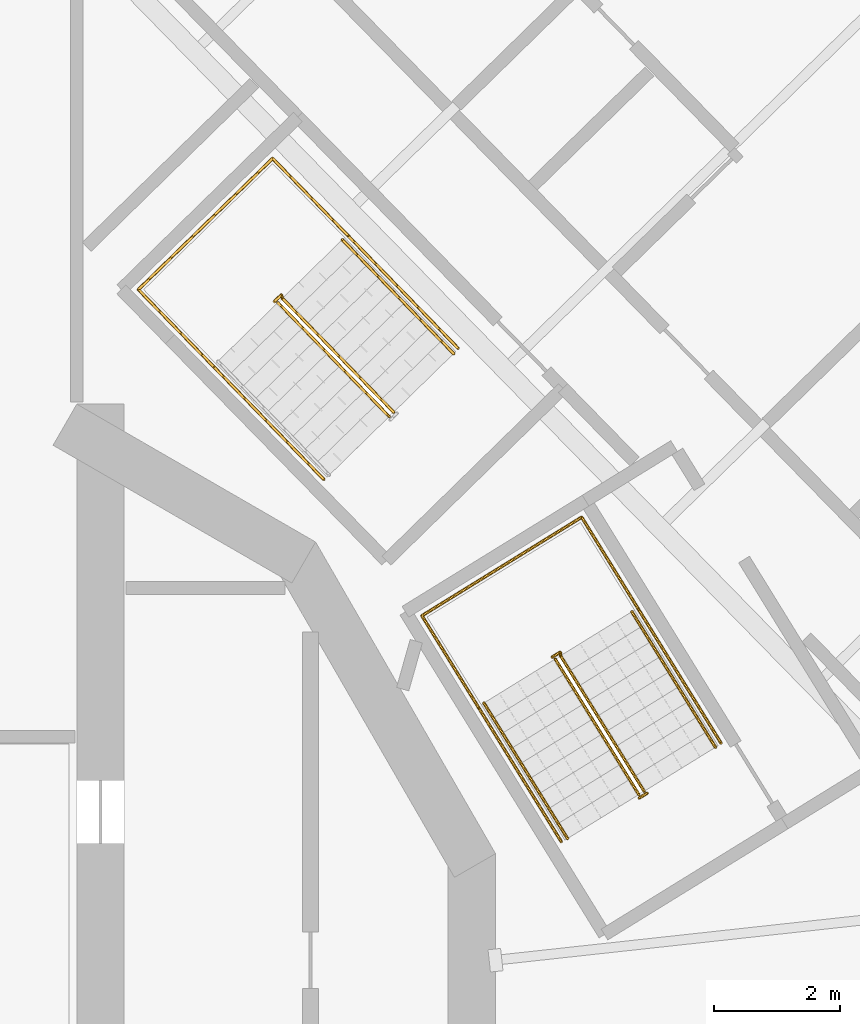
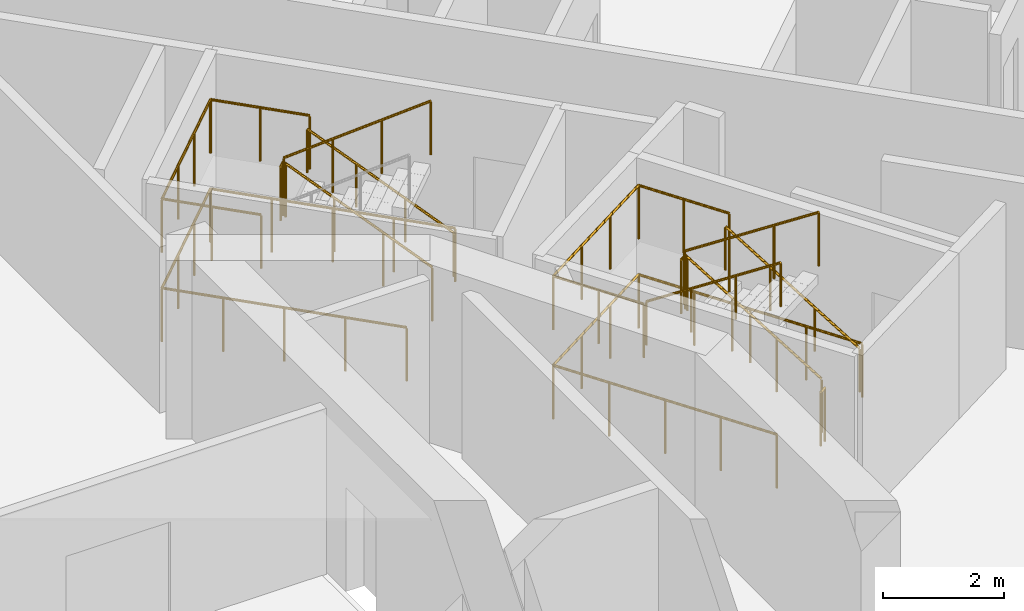
# One storey, part 17 of 19: 12 railings.
"""IFC4 building model written with IfcOpenShell, lengths in metres."""

from ifc_helpers import new_model, si_unit, direction, frame, origin, origin_2d, place, context, subcontext, project, spatial, circle, extrude, material, type_object, element, save


model = new_model("IFC4")

# Units and contexts
model_context = context("Model", 3, precision=1e-05, world=origin(), true_north=direction((0.0, 1.0)))
body_context = subcontext(model_context, "Body", "Model", "MODEL_VIEW")
ifc_project = project(units=[si_unit("LENGTHUNIT", "METRE"), si_unit("AREAUNIT", "SQUARE_METRE"), si_unit("VOLUMEUNIT", "CUBIC_METRE"), si_unit("PLANEANGLEUNIT", "RADIAN"), si_unit("MASSUNIT", "GRAM", prefix="KILO")], contexts=[model_context])

# Site, building, storey
site_placement = place(None, origin())
site = spatial("IfcSite", under=ifc_project, at=site_placement, CompositionType="ELEMENT")
building_placement = place(site_placement, origin())
building = spatial("IfcBuilding", under=site, at=building_placement, Name="Cantera Rosa Tower", CompositionType="ELEMENT")
storey_placement = place(building_placement, frame((0.0, 0.0, 216.199951171875)))
storey = spatial("IfcBuildingStorey", under=building, at=storey_placement, Name="L46", CompositionType="ELEMENT", Elevation=216.199951171875)

# Railings
ifc_material_1 = material(Name="Steel S355J2 (EN 10025-2)", Category="steel")
railing_type_1 = type_object("IfcRailingType", Name="STAIR GUARD 1100", PredefinedType="GUARDRAIL", material=ifc_material_1)
railing_1_placement = place(storey_placement, frame((12.9765625, 3.834228515625, 0.179931640625)))
element("IfcRailing", 1, at=railing_1_placement, inside=storey, type_object=railing_type_1, Name="L46 ST-41 stair guard 1", PredefinedType="GUARDRAIL", context=body_context, shape_type="SweptSolid", body=[
    extrude(circle(Radius=0.02392578125, at=origin_2d()), frame((0.0, 0.0, 1.076171875), z_axis=(-0.44154346381, 0.715939337315, 0.540805172729), x_axis=(-0.851145618652, -0.524929648476, 0.0)), (0.0, 0.0, 1.0), 2.995849609375),
    extrude(circle(Radius=0.02392578125, at=origin_2d()), frame((-1.32275390625, 2.144775390625, 2.6962890625), z_axis=(-0.073711968402, 0.997279572494, 0.0), x_axis=(-0.997279572494, -0.073711968402, 0.0)), (0.0, 0.0, 1.0), 0.056396484375),
    extrude(circle(Radius=0.02392578125, at=origin_2d()), frame((-1.326904296875, 2.200927734375, 2.6962890625), z_axis=(-0.851546489876, -0.524279100842, 0.0), x_axis=(0.524279100842, -0.851546489876, 0.0)), (0.0, 0.0, 1.0), 0.14990234375),
    extrude(circle(Radius=0.02099609375, at=origin_2d()), origin(), (0.0, 0.0, 1.0), 1.052001953125),
    extrude(circle(Radius=0.02099609375, at=origin_2d()), frame((-0.44091796875, 0.71484375, 0.5400390625)), (0.0, 0.0, 1.0), 1.052001953125),
    extrude(circle(Radius=0.02099609375, at=origin_2d()), frame((-0.8818359375, 1.429931640625, 1.080078125)), (0.0, 0.0, 1.0), 1.052001953125),
    extrude(circle(Radius=0.02099609375, at=origin_2d()), frame((-1.32275390625, 2.144775390625, 1.6201171875)), (0.0, 0.0, 1.0), 1.052001953125),
    extrude(circle(Radius=0.02099609375, at=origin_2d()), frame((-1.326904296875, 2.200927734375, 1.6201171875)), (0.0, 0.0, 1.0), 1.052001953125),
    extrude(circle(Radius=0.02099609375, at=origin_2d()), frame((-1.45458984375, 2.122314453125, 1.6201171875)), (0.0, 0.0, 1.0), 1.052001953125),
])
railing_2_placement = place(storey_placement, frame((11.5703125, 5.927490234375, 1.97998046875)))
element("IfcRailing", 2, at=railing_2_placement, inside=storey, type_object=railing_type_1, Name="L46 ST-41 stair guard 2", PredefinedType="GUARDRAIL", context=body_context, shape_type="SweptSolid", body=[
    extrude(circle(Radius=0.02392578125, at=origin_2d()), frame((0.0, 0.0, 1.076171875), z_axis=(0.441609067481, -0.715913574058, 0.540785711718), x_axis=(0.851102330005, 0.524999832248, 0.0)), (0.0, 0.0, 1.0), 2.995849609375),
    extrude(circle(Radius=0.02099609375, at=origin_2d()), origin(), (0.0, 0.0, 1.0), 1.052001953125),
    extrude(circle(Radius=0.02099609375, at=origin_2d()), frame((0.44091796875, -0.71484375, 0.5400390625)), (0.0, 0.0, 1.0), 1.052001953125),
    extrude(circle(Radius=0.02099609375, at=origin_2d()), frame((0.882080078125, -1.429931640625, 1.080078125)), (0.0, 0.0, 1.0), 1.052001953125),
    extrude(circle(Radius=0.02099609375, at=origin_2d()), frame((1.322998046875, -2.144775390625, 1.6201171875)), (0.0, 0.0, 1.0), 1.052001953125),
])
railing_3_placement = place(storey_placement, frame((13.025146484375, 3.80517578125, 0.0)))
element("IfcRailing", 3, at=railing_3_placement, inside=storey, type_object=railing_type_1, Name="L46 ST-41 stair guard 3", PredefinedType="GUARDRAIL", context=body_context, shape_type="SweptSolid", body=[
    extrude(circle(Radius=0.02392578125, at=origin_2d()), frame((0.0, 0.0, 1.076171875), z_axis=(-0.851546489876, -0.524279100842, 0.0), x_axis=(0.524279100842, -0.851546489876, 0.0)), (0.0, 0.0, 1.0), 0.14990234375),
    extrude(circle(Radius=0.02099609375, at=origin_2d()), origin(), (0.0, 0.0, 1.0), 1.052001953125),
    extrude(circle(Radius=0.02099609375, at=origin_2d()), frame((-0.127685546875, -0.07861328125, 0.0)), (0.0, 0.0, 1.0), 1.052001953125),
])
railing_4_placement = place(storey_placement, frame((14.192626953125, 4.59814453125, 0.0)))
element("IfcRailing", 4, at=railing_4_placement, inside=storey, type_object=railing_type_1, Name="L46 ST-41 stair guard 4", PredefinedType="GUARDRAIL", context=body_context, shape_type="SweptSolid", body=[
    extrude(circle(Radius=0.02392578125, at=origin_2d()), frame((0.0, 0.0, 1.076171875), z_axis=(-0.524976478809, 0.851116735059, 0.0), x_axis=(-0.851116735059, -0.524976478809, 0.0)), (0.0, 0.0, 1.0), 4.197998046875),
    extrude(circle(Radius=0.02392578125, at=origin_2d()), frame((-2.203857421875, 3.572998046875, 1.076171875), z_axis=(-0.851132917336, -0.524950242429, 0.0), x_axis=(0.524950242429, -0.851132917336, 0.0)), (0.0, 0.0, 1.0), 2.969970703125),
    extrude(circle(Radius=0.02392578125, at=origin_2d()), frame((-4.731689453125, 2.013916015625, 1.076171875), z_axis=(0.524976478809, -0.851116735059, 0.0), x_axis=(0.851116735059, 0.524976478809, 0.0)), (0.0, 0.0, 1.0), 4.197998046875),
    extrude(circle(Radius=0.02099609375, at=origin_2d()), origin(), (0.0, 0.0, 1.0), 1.052001953125),
    extrude(circle(Radius=0.02099609375, at=origin_2d()), frame((-0.551025390625, 0.893310546875, 0.0)), (0.0, 0.0, 1.0), 1.052001953125),
    extrude(circle(Radius=0.02099609375, at=origin_2d()), frame((-1.10205078125, 1.78662109375, 0.0)), (0.0, 0.0, 1.0), 1.052001953125),
    extrude(circle(Radius=0.02099609375, at=origin_2d()), frame((-1.65283203125, 2.6796875, 0.0)), (0.0, 0.0, 1.0), 1.052001953125),
    extrude(circle(Radius=0.02099609375, at=origin_2d()), frame((-2.203857421875, 3.572998046875, 0.0)), (0.0, 0.0, 1.0), 1.052001953125),
    extrude(circle(Radius=0.02099609375, at=origin_2d()), frame((-3.04638671875, 3.05322265625, 0.0)), (0.0, 0.0, 1.0), 1.052001953125),
    extrude(circle(Radius=0.02099609375, at=origin_2d()), frame((-3.88916015625, 2.53369140625, 0.0)), (0.0, 0.0, 1.0), 1.052001953125),
    extrude(circle(Radius=0.02099609375, at=origin_2d()), frame((-4.731689453125, 2.013916015625, 0.0)), (0.0, 0.0, 1.0), 1.052001953125),
    extrude(circle(Radius=0.02099609375, at=origin_2d()), frame((-4.1806640625, 1.12060546875, 0.0)), (0.0, 0.0, 1.0), 1.052001953125),
    extrude(circle(Radius=0.02099609375, at=origin_2d()), frame((-3.6298828125, 0.2275390625, 0.0)), (0.0, 0.0, 1.0), 1.052001953125),
    extrude(circle(Radius=0.02099609375, at=origin_2d()), frame((-3.078857421875, -0.665771484375, 0.0)), (0.0, 0.0, 1.0), 1.052001953125),
    extrude(circle(Radius=0.02099609375, at=origin_2d()), frame((-2.52783203125, -1.55908203125, 0.0)), (0.0, 0.0, 1.0), 1.052001953125),
])
railing_5_placement = place(storey_placement, frame((12.88232421875, 6.72265625, 1.800048828125)))
element("IfcRailing", 5, at=railing_5_placement, inside=storey, type_object=railing_type_1, Name="L46 ST-41 stair guard 5", PredefinedType="GUARDRAIL", context=body_context, shape_type="SweptSolid", body=[
    extrude(circle(Radius=0.02392578125, at=origin_2d()), frame((0.0, 0.0, 1.076171875), z_axis=(-0.525025534833, 0.851086474909, 0.0), x_axis=(-0.851086474909, -0.525025534833, 0.0)), (0.0, 0.0, 1.0), 1.701904296875),
    extrude(circle(Radius=0.02392578125, at=origin_2d()), frame((-0.8935546875, 1.448486328125, 1.076171875), z_axis=(-0.851132917336, -0.524950242429, 0.0), x_axis=(0.524950242429, -0.851132917336, 0.0)), (0.0, 0.0, 1.0), 2.969970703125),
    extrude(circle(Radius=0.02392578125, at=origin_2d()), frame((-3.42138671875, -0.110595703125, 1.076171875), z_axis=(0.524961441845, -0.851126009811, 0.0), x_axis=(0.851126009811, 0.524961441845, 0.0)), (0.0, 0.0, 1.0), 1.7021484375),
    extrude(circle(Radius=0.02099609375, at=origin_2d()), origin(), (0.0, 0.0, 1.0), 1.052001953125),
    extrude(circle(Radius=0.02099609375, at=origin_2d()), frame((-0.44677734375, 0.72412109375, 0.0)), (0.0, 0.0, 1.0), 1.052001953125),
    extrude(circle(Radius=0.02099609375, at=origin_2d()), frame((-0.8935546875, 1.448486328125, 0.0)), (0.0, 0.0, 1.0), 1.052001953125),
    extrude(circle(Radius=0.02099609375, at=origin_2d()), frame((-1.736083984375, 0.9287109375, 0.0)), (0.0, 0.0, 1.0), 1.052001953125),
    extrude(circle(Radius=0.02099609375, at=origin_2d()), frame((-2.578857421875, 0.4091796875, 0.0)), (0.0, 0.0, 1.0), 1.052001953125),
    extrude(circle(Radius=0.02099609375, at=origin_2d()), frame((-3.42138671875, -0.110595703125, 0.0)), (0.0, 0.0, 1.0), 1.052001953125),
    extrude(circle(Radius=0.02099609375, at=origin_2d()), frame((-2.974609375, -0.8349609375, 0.0)), (0.0, 0.0, 1.0), 1.052001953125),
    extrude(circle(Radius=0.02099609375, at=origin_2d()), frame((-2.52783203125, -1.559326171875, 0.0)), (0.0, 0.0, 1.0), 1.052001953125),
])
railing_6_placement = place(storey_placement, frame((9.013427734375, 9.832763671875, 0.179931640625)))
element("IfcRailing", 6, at=railing_6_placement, inside=storey, type_object=railing_type_1, Name="L46 ST-42 stair guard 1", PredefinedType="GUARDRAIL", context=body_context, shape_type="SweptSolid", body=[
    extrude(circle(Radius=0.02392578125, at=origin_2d()), frame((0.0, 0.0, 1.076171875), z_axis=(-0.587818193466, 0.601672219931, 0.54079599776), x_axis=(-0.715293958342, -0.698823692472, 0.0)), (0.0, 0.0, 1.0), 2.995849609375),
    extrude(circle(Radius=0.02392578125, at=origin_2d()), frame((-1.760986328125, 1.802490234375, 2.6962890625), z_axis=(-0.290127576896, 0.956987977523, 0.0), x_axis=(-0.956987977523, -0.290127576896, 0.0)), (0.0, 0.0, 1.0), 0.056396484375),
    extrude(circle(Radius=0.02392578125, at=origin_2d()), frame((-1.77734375, 1.8564453125, 2.6962890625), z_axis=(-0.71600013962, -0.69810013613, 0.0), x_axis=(0.69810013613, -0.71600013962, 0.0)), (0.0, 0.0, 1.0), 0.150146484375),
    extrude(circle(Radius=0.02099609375, at=origin_2d()), origin(), (0.0, 0.0, 1.0), 1.052001953125),
    extrude(circle(Radius=0.02099609375, at=origin_2d()), frame((-0.5869140625, 0.600830078125, 0.5400390625)), (0.0, 0.0, 1.0), 1.052001953125),
    extrude(circle(Radius=0.02099609375, at=origin_2d()), frame((-1.174072265625, 1.20166015625, 1.080078125)), (0.0, 0.0, 1.0), 1.052001953125),
    extrude(circle(Radius=0.02099609375, at=origin_2d()), frame((-1.760986328125, 1.802490234375, 1.6201171875)), (0.0, 0.0, 1.0), 1.052001953125),
    extrude(circle(Radius=0.02099609375, at=origin_2d()), frame((-1.77734375, 1.8564453125, 1.6201171875)), (0.0, 0.0, 1.0), 1.052001953125),
    extrude(circle(Radius=0.02099609375, at=origin_2d()), frame((-1.884765625, 1.751708984375, 1.6201171875)), (0.0, 0.0, 1.0), 1.052001953125),
])
railing_7_placement = place(storey_placement, frame((7.182373046875, 11.56689453125, 1.97998046875)))
element("IfcRailing", 7, at=railing_7_placement, inside=storey, type_object=railing_type_1, Name="L46 ST-42 stair guard 2", PredefinedType="GUARDRAIL", context=body_context, shape_type="SweptSolid", body=[
    extrude(circle(Radius=0.02392578125, at=origin_2d()), frame((0.0, 0.0, 1.076171875), z_axis=(0.587818193466, -0.601672219931, 0.54079599776), x_axis=(0.715293958342, 0.698823692472, 0.0)), (0.0, 0.0, 1.0), 2.995849609375),
    extrude(circle(Radius=0.02099609375, at=origin_2d()), origin(), (0.0, 0.0, 1.0), 1.052001953125),
    extrude(circle(Radius=0.02099609375, at=origin_2d()), frame((0.5869140625, -0.600830078125, 0.5400390625)), (0.0, 0.0, 1.0), 1.052001953125),
    extrude(circle(Radius=0.02099609375, at=origin_2d()), frame((1.174072265625, -1.20166015625, 1.080078125)), (0.0, 0.0, 1.0), 1.052001953125),
    extrude(circle(Radius=0.02099609375, at=origin_2d()), frame((1.760986328125, -1.802490234375, 1.6201171875)), (0.0, 0.0, 1.0), 1.052001953125),
])
railing_8_placement = place(storey_placement, frame((10.0322265625, 10.844970703125, 0.0)))
element("IfcRailing", 8, at=railing_8_placement, inside=storey, type_object=railing_type_1, Name="L46 ST-42 stair guard 4", PredefinedType="GUARDRAIL", context=body_context, shape_type="SweptSolid", body=[
    extrude(circle(Radius=0.02392578125, at=origin_2d()), frame((0.0, 0.0, 1.076171875), z_axis=(-0.698859254364, 0.715259213566, 0.0), x_axis=(-0.715259213566, -0.698859254364, 0.0)), (0.0, 0.0, 1.0), 4.197998046875),
    extrude(circle(Radius=0.02392578125, at=origin_2d()), frame((-2.933837890625, 3.002685546875, 1.076171875), z_axis=(-0.715279654138, -0.698838333505, 0.0), x_axis=(0.698838333505, -0.715279654138, 0.0)), (0.0, 0.0, 1.0), 2.9697265625),
    extrude(circle(Radius=0.02392578125, at=origin_2d()), frame((-5.05810546875, 0.92724609375, 1.076171875), z_axis=(0.698829500247, -0.715288284249, 0.0), x_axis=(0.715288284249, 0.698829500247, 0.0)), (0.0, 0.0, 1.0), 4.19775390625),
    extrude(circle(Radius=0.02099609375, at=origin_2d()), origin(), (0.0, 0.0, 1.0), 1.052001953125),
    extrude(circle(Radius=0.02099609375, at=origin_2d()), frame((-0.7333984375, 0.750732421875, 0.0)), (0.0, 0.0, 1.0), 1.052001953125),
    extrude(circle(Radius=0.02099609375, at=origin_2d()), frame((-1.466796875, 1.50146484375, 0.0)), (0.0, 0.0, 1.0), 1.052001953125),
    extrude(circle(Radius=0.02099609375, at=origin_2d()), frame((-2.200439453125, 2.251953125, 0.0)), (0.0, 0.0, 1.0), 1.052001953125),
    extrude(circle(Radius=0.02099609375, at=origin_2d()), frame((-2.933837890625, 3.002685546875, 0.0)), (0.0, 0.0, 1.0), 1.052001953125),
    extrude(circle(Radius=0.02099609375, at=origin_2d()), frame((-3.641845703125, 2.310791015625, 0.0)), (0.0, 0.0, 1.0), 1.052001953125),
    extrude(circle(Radius=0.02099609375, at=origin_2d()), frame((-4.35009765625, 1.619140625, 0.0)), (0.0, 0.0, 1.0), 1.052001953125),
    extrude(circle(Radius=0.02099609375, at=origin_2d()), frame((-5.05810546875, 0.92724609375, 0.0)), (0.0, 0.0, 1.0), 1.052001953125),
    extrude(circle(Radius=0.02099609375, at=origin_2d()), frame((-4.32470703125, 0.176513671875, 0.0)), (0.0, 0.0, 1.0), 1.052001953125),
    extrude(circle(Radius=0.02099609375, at=origin_2d()), frame((-3.59130859375, -0.57421875, 0.0)), (0.0, 0.0, 1.0), 1.052001953125),
    extrude(circle(Radius=0.02099609375, at=origin_2d()), frame((-2.85791015625, -1.32470703125, 0.0)), (0.0, 0.0, 1.0), 1.052001953125),
    extrude(circle(Radius=0.02099609375, at=origin_2d()), frame((-2.12451171875, -2.075439453125, 0.0)), (0.0, 0.0, 1.0), 1.052001953125),
])
railing_9_placement = place(storey_placement, frame((8.287841796875, 12.63037109375, 1.800048828125)))
element("IfcRailing", 9, at=railing_9_placement, inside=storey, type_object=railing_type_1, Name="L46 ST-42 stair guard 5", PredefinedType="GUARDRAIL", context=body_context, shape_type="SweptSolid", body=[
    extrude(circle(Radius=0.02392578125, at=origin_2d()), frame((0.0, 0.0, 1.076171875), z_axis=(-0.698882919007, 0.715236090757, 0.0), x_axis=(-0.715236090757, -0.698882919007, 0.0)), (0.0, 0.0, 1.0), 1.701904296875),
    extrude(circle(Radius=0.02392578125, at=origin_2d()), frame((-1.189453125, 1.21728515625, 1.076171875), z_axis=(-0.715279654138, -0.698838333505, 0.0), x_axis=(0.698838333505, -0.715279654138, 0.0)), (0.0, 0.0, 1.0), 2.9697265625),
    extrude(circle(Radius=0.02392578125, at=origin_2d()), frame((-3.313720703125, -0.858154296875, 1.076171875), z_axis=(0.698811217595, -0.715306145761, 0.0), x_axis=(0.715306145761, 0.698811217595, 0.0)), (0.0, 0.0, 1.0), 1.7021484375),
    extrude(circle(Radius=0.02099609375, at=origin_2d()), origin(), (0.0, 0.0, 1.0), 1.052001953125),
    extrude(circle(Radius=0.02099609375, at=origin_2d()), frame((-0.5947265625, 0.608642578125, 0.0)), (0.0, 0.0, 1.0), 1.052001953125),
    extrude(circle(Radius=0.02099609375, at=origin_2d()), frame((-1.189453125, 1.21728515625, 0.0)), (0.0, 0.0, 1.0), 1.052001953125),
    extrude(circle(Radius=0.02099609375, at=origin_2d()), frame((-1.8974609375, 0.525390625, 0.0)), (0.0, 0.0, 1.0), 1.052001953125),
    extrude(circle(Radius=0.02099609375, at=origin_2d()), frame((-2.605712890625, -0.166259765625, 0.0)), (0.0, 0.0, 1.0), 1.052001953125),
    extrude(circle(Radius=0.02099609375, at=origin_2d()), frame((-3.313720703125, -0.858154296875, 0.0)), (0.0, 0.0, 1.0), 1.052001953125),
    extrude(circle(Radius=0.02099609375, at=origin_2d()), frame((-2.718994140625, -1.466796875, 0.0)), (0.0, 0.0, 1.0), 1.052001953125),
    extrude(circle(Radius=0.02099609375, at=origin_2d()), frame((-2.124267578125, -2.07568359375, 0.0)), (0.0, 0.0, 1.0), 1.052001953125),
])
ifc_material_2 = material(Name="Steel S355J2 (EN 10025-2)", Category="steel")
railing_type_2 = type_object("IfcRailingType", Name="STAIR HANDRAIL 900", PredefinedType="HANDRAIL", material=ifc_material_2)
railing_10_placement = place(storey_placement, frame((14.105224609375, 4.5302734375, 0.179931640625)))
element("IfcRailing", 10, at=railing_10_placement, inside=storey, type_object=railing_type_2, Name="L46 ST-41 stair handrail 1", PredefinedType="HANDRAIL", context=body_context, shape_type="SweptSolid", body=[
    extrude(circle(Radius=0.02392578125, at=origin_2d()), frame((0.0, 0.0, 0.8759765625), z_axis=(-0.441609067481, 0.715913574058, 0.540785711718), x_axis=(-0.851102330005, -0.524999832248, 0.0)), (0.0, 0.0, 1.0), 2.995849609375),
    extrude(circle(Radius=0.02099609375, at=origin_2d()), origin(), (0.0, 0.0, 1.0), 0.851806640625),
    extrude(circle(Radius=0.02099609375, at=origin_2d()), frame((-0.44091796875, 0.71484375, 0.5400390625)), (0.0, 0.0, 1.0), 0.851806640625),
    extrude(circle(Radius=0.02099609375, at=origin_2d()), frame((-0.882080078125, 1.429931640625, 1.080078125)), (0.0, 0.0, 1.0), 0.851806640625),
    extrude(circle(Radius=0.02099609375, at=origin_2d()), frame((-1.322998046875, 2.144775390625, 1.6201171875)), (0.0, 0.0, 1.0), 0.851806640625),
])
railing_11_placement = place(storey_placement, frame((10.441650390625, 5.2314453125, 1.97998046875)))
element("IfcRailing", 11, at=railing_11_placement, inside=storey, type_object=railing_type_2, Name="L46 ST-41 stair handrail 2", PredefinedType="HANDRAIL", context=body_context, shape_type="SweptSolid", body=[
    extrude(circle(Radius=0.02392578125, at=origin_2d()), frame((0.0, 0.0, 0.8759765625), z_axis=(0.441609067481, -0.715913574058, 0.540785711718), x_axis=(0.851102330005, 0.524999832248, 0.0)), (0.0, 0.0, 1.0), 2.995849609375),
    extrude(circle(Radius=0.02099609375, at=origin_2d()), origin(), (0.0, 0.0, 1.0), 0.851806640625),
    extrude(circle(Radius=0.02099609375, at=origin_2d()), frame((0.44091796875, -0.71484375, 0.5400390625)), (0.0, 0.0, 1.0), 0.851806640625),
    extrude(circle(Radius=0.02099609375, at=origin_2d()), frame((0.882080078125, -1.429931640625, 1.080078125)), (0.0, 0.0, 1.0), 0.851806640625),
    extrude(circle(Radius=0.02099609375, at=origin_2d()), frame((1.322998046875, -2.144775390625, 1.6201171875)), (0.0, 0.0, 1.0), 0.851806640625),
])
railing_12_placement = place(storey_placement, frame((9.9619140625, 10.759521484375, 0.179931640625)))
element("IfcRailing", 12, at=railing_12_placement, inside=storey, type_object=railing_type_2, Name="L46 ST-42 stair handrail 1", PredefinedType="HANDRAIL", context=body_context, shape_type="SweptSolid", body=[
    extrude(circle(Radius=0.02392578125, at=origin_2d()), frame((0.0, 0.0, 0.8759765625), z_axis=(-0.587818193466, 0.601672219931, 0.54079599776), x_axis=(-0.715293958342, -0.698823692472, 0.0)), (0.0, 0.0, 1.0), 2.995849609375),
    extrude(circle(Radius=0.02099609375, at=origin_2d()), origin(), (0.0, 0.0, 1.0), 0.851806640625),
    extrude(circle(Radius=0.02099609375, at=origin_2d()), frame((-0.5869140625, 0.600830078125, 0.5400390625)), (0.0, 0.0, 1.0), 0.851806640625),
    extrude(circle(Radius=0.02099609375, at=origin_2d()), frame((-1.174072265625, 1.20166015625, 1.080078125)), (0.0, 0.0, 1.0), 0.851806640625),
    extrude(circle(Radius=0.02099609375, at=origin_2d()), frame((-1.760986328125, 1.802490234375, 1.6201171875)), (0.0, 0.0, 1.0), 0.851806640625),
])

save(model, "model.ifc")
